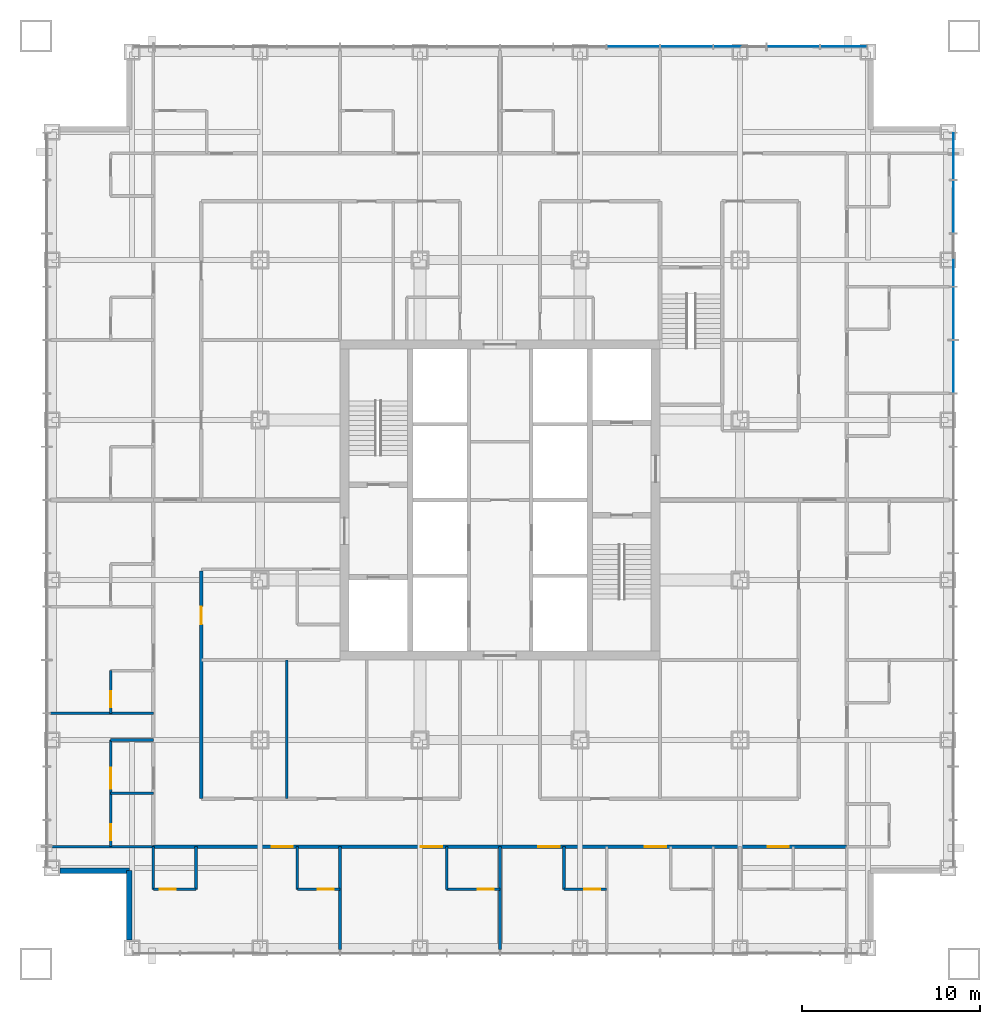
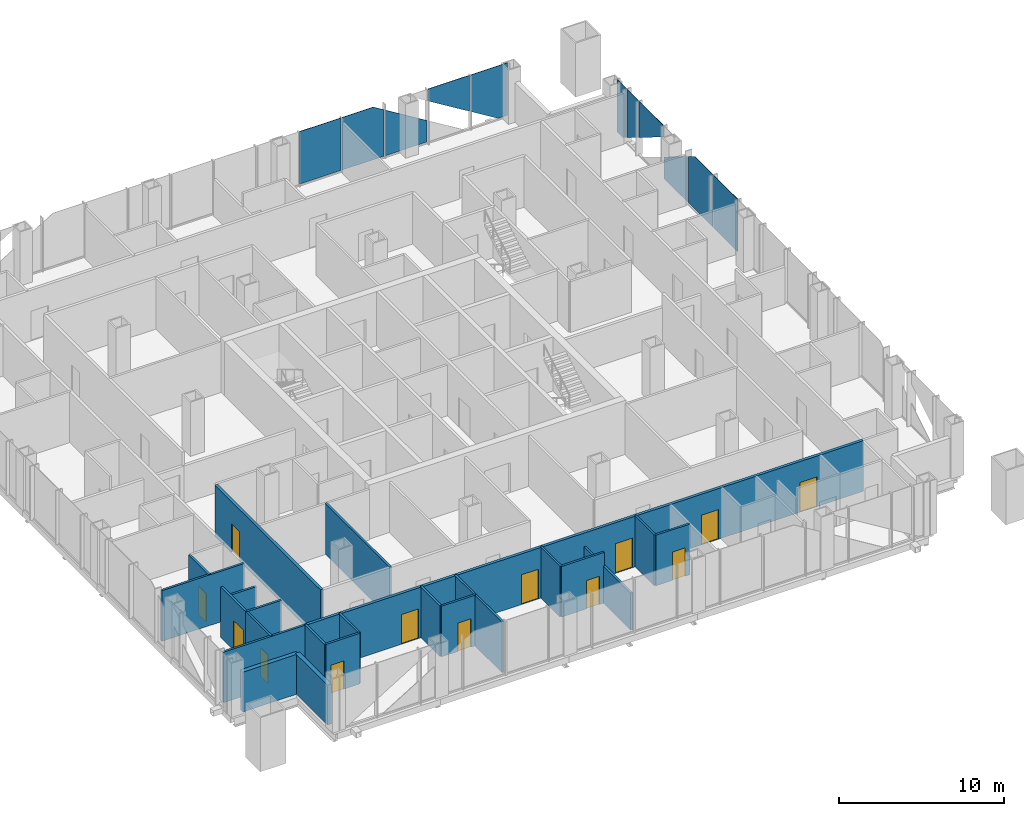
# One storey, part 7 of 13: 23 walls, 13 doors, 11 plates, 13 openings, 2 elements without a shape of their own.
"""IFC4 building model written with IfcOpenShell, lengths in metres."""

from ifc_helpers import new_model, si_unit, direction, frame, frame_2d, origin, origin_2d, place, context, subcontext, project, spatial, polyline, rectangle, outline, extrude, material, layer, layer_set, type_object, element, fill, aggregate, save


model = new_model("IFC4")

# Units and contexts
model_context = context("Model", 3, precision=1e-05, world=origin(), true_north=direction((0.0, 1.0)))
body_context = subcontext(model_context, "Body", "Model", "MODEL_VIEW")
ifc_project = project(units=[si_unit("LENGTHUNIT", "METRE"), si_unit("AREAUNIT", "SQUARE_METRE"), si_unit("VOLUMEUNIT", "CUBIC_METRE"), si_unit("PLANEANGLEUNIT", "RADIAN"), si_unit("MASSUNIT", "GRAM", prefix="KILO")], contexts=[model_context])

# Site, building, storey
site_placement = place(None, origin())
site = spatial("IfcSite", under=ifc_project, at=site_placement, CompositionType="ELEMENT")
building_placement = place(site_placement, origin())
building = spatial("IfcBuilding", under=site, at=building_placement, Name="Malebo Sky Hospital", CompositionType="ELEMENT")
storey_placement = place(building_placement, frame((0.0, 0.0, 35.0)))
storey = spatial("IfcBuildingStorey", under=building, at=storey_placement, Name="L07", CompositionType="ELEMENT", Elevation=35.0)

# Curtain wall, plates
ifc_material_1 = material(Name="Anodised aluminium, natural silver", Category="aluminium")
ifc_layer_1 = layer(ifc_material_1, 0.25)
ifc_layer_set_1 = layer_set([ifc_layer_1], Name="WARD CURTAIN WALL NORTH AND SOUTH")
curtain_wall_type_1 = type_object("IfcCurtainWallType", Name="WARD CURTAIN WALL NORTH AND SOUTH", PredefinedType="NOTDEFINED", material=ifc_layer_set_1)
curtain_wall_1_placement = place(storey_placement, origin())
curtain_wall_1 = element("IfcCurtainWall", 1, at=curtain_wall_1_placement, inside=storey, type_object=curtain_wall_type_1, Name="NS curtain wall N", PredefinedType="NOTDEFINED")
ifc_material_2 = material(Name="Clear low-iron double glazing", Category="glass")
ifc_layer_2 = layer(ifc_material_2, 0.031982421875)
ifc_layer_set_2 = layer_set([ifc_layer_2], Name="VISION PANEL CLEAR 32")
plate_type = type_object("IfcPlateType", Name="VISION PANEL CLEAR 32", PredefinedType="CURTAIN_PANEL", material=ifc_layer_set_2)
plate_1_placement = place(storey_placement, frame((67.5, 87.5, 0.10009765625), z_axis=(0.0, 0.0, 1.0), x_axis=(1.0, 0.0, 0.0)))
plate_1 = element("IfcPlate", 2, at=plate_1_placement, type_object=plate_type, Name="Panel 11", PredefinedType="CURTAIN_PANEL", context=body_context, shape_type="SweptSolid", body=[
    extrude(rectangle(XDim=2.925048828125, YDim=0.031982421875, at=origin_2d()), origin(), (0.0, 0.0, 1.0), 3.889892578125),
])
plate_2_placement = place(storey_placement, frame((70.5, 87.5, 0.10009765625), z_axis=(0.0, 0.0, 1.0), x_axis=(1.0, 0.0, 0.0)))
plate_2 = element("IfcPlate", 3, at=plate_2_placement, type_object=plate_type, Name="Panel 12", PredefinedType="CURTAIN_PANEL", context=body_context, shape_type="SweptSolid", body=[
    extrude(outline(polyline([(-1.46240234375, 0.0), (1.46240234375, 0.0), (1.46240234375, 3.43310546875), (0.71728515625, 3.889892578125), (-1.46240234375, 3.889892578125), (-1.46240234375, 0.0)])), frame((0.0, 0.01611328125, 0.0), z_axis=(0.0, -1.0, 0.0), x_axis=(1.0, 0.0, 0.0)), (0.0, 0.0, 1.0), 0.031982421875),
])
plate_3_placement = place(storey_placement, frame((73.5, 87.5, 0.099853515625), z_axis=(0.0, 0.0, 1.0), x_axis=(1.0, 0.0, 0.0)))
plate_3 = element("IfcPlate", 4, at=plate_3_placement, type_object=plate_type, Name="Panel 13", PredefinedType="CURTAIN_PANEL", context=body_context, shape_type="SweptSolid", body=[
    extrude(outline(polyline([(-1.46240234375, 0.0), (1.46240234375, 0.0), (1.46240234375, 1.593994140625), (-1.46240234375, 3.38720703125), (-1.46240234375, 0.0)])), frame((0.0, 0.01611328125, 0.0), z_axis=(0.0, -1.0, 0.0), x_axis=(1.0, 0.0, 0.0)), (0.0, 0.0, 1.0), 0.031982421875),
])
plate_4_placement = place(storey_placement, frame((76.5, 87.5, 1.322265625), z_axis=(0.0, 0.0, 1.0), x_axis=(1.0, 0.0, 0.0)))
plate_4 = element("IfcPlate", 5, at=plate_4_placement, type_object=plate_type, Name="Panel 14", PredefinedType="CURTAIN_PANEL", context=body_context, shape_type="SweptSolid", body=[
    extrude(outline(polyline([(1.46240234375, 0.0), (1.46240234375, 2.667724609375), (-1.46240234375, 2.667724609375), (-1.46240234375, 1.793212890625), (1.46240234375, 0.0)])), frame((0.0, 0.01611328125, 0.0), z_axis=(0.0, -1.0, 0.0), x_axis=(1.0, 0.0, 0.0)), (0.0, 0.0, 1.0), 0.031982421875),
])
plate_5_placement = place(storey_placement, frame((79.331298828125, 87.5, 0.10009765625), z_axis=(0.0, 0.0, 1.0), x_axis=(1.0, 0.0, 0.0)))
plate_5 = element("IfcPlate", 6, at=plate_5_placement, type_object=plate_type, Name="Panel 15", PredefinedType="CURTAIN_PANEL", context=body_context, shape_type="SweptSolid", body=[
    extrude(outline(polyline([(0.625244140625, 0.0), (1.293701171875, 0.0), (1.293701171875, 3.889892578125), (-1.293701171875, 3.889892578125), (-1.293701171875, 1.17626953125), (0.625244140625, 0.0)])), frame((0.0, 0.01611328125, 0.0), z_axis=(0.0, -1.0, 0.0), x_axis=(1.0, 0.0, 0.0)), (0.0, 0.0, 1.0), 0.031982421875),
])
aggregate(curtain_wall_1, [plate_1, plate_2, plate_3, plate_4, plate_5])

ifc_layer_3 = layer(ifc_material_1, 0.25)
ifc_layer_set_3 = layer_set([ifc_layer_3], Name="WARD CURTAIN WALL EAST AND WEST")
curtain_wall_type_2 = type_object("IfcCurtainWallType", Name="WARD CURTAIN WALL EAST AND WEST", PredefinedType="NOTDEFINED", material=ifc_layer_set_3)
curtain_wall_2_placement = place(storey_placement, origin())
curtain_wall_2 = element("IfcCurtainWall", 7, at=curtain_wall_2_placement, inside=storey, type_object=curtain_wall_type_2, Name="EW curtain wall E", PredefinedType="NOTDEFINED")
plate_6_placement = place(storey_placement, frame((85.5, 82.081298828125, 0.10009765625), z_axis=(0.0, 0.0, 1.0), x_axis=(0.0, -1.0, 0.0)))
plate_6 = element("IfcPlate", 8, at=plate_6_placement, type_object=plate_type, Name="Panel 1", PredefinedType="CURTAIN_PANEL", context=body_context, shape_type="SweptSolid", body=[
    extrude(outline(polyline([(-0.543701171875, 0.0), (0.124755859375, 0.0), (0.543701171875, 0.2568359375), (0.543701171875, 3.889892578125), (-0.543701171875, 3.889892578125), (-0.543701171875, 0.0)])), frame((0.0, 0.01611328125, 0.0), z_axis=(0.0, -1.0, 0.0), x_axis=(1.0, 0.0, 0.0)), (0.0, 0.0, 1.0), 0.031982421875),
])
plate_7_placement = place(storey_placement, frame((85.5, 80.75, 0.40283203125), z_axis=(0.0, 0.0, 1.0), x_axis=(0.0, -1.0, 0.0)))
plate_7 = element("IfcPlate", 9, at=plate_7_placement, type_object=plate_type, Name="Panel 2", PredefinedType="CURTAIN_PANEL", context=body_context, shape_type="SweptSolid", body=[
    extrude(outline(polyline([(-0.71240234375, 0.0), (0.71240234375, 0.87353515625), (0.71240234375, 3.587158203125), (-0.71240234375, 3.587158203125), (-0.71240234375, 0.0)])), frame((0.0, 0.01611328125, 0.0), z_axis=(0.0, -1.0, 0.0), x_axis=(1.0, 0.0, 0.0)), (0.0, 0.0, 1.0), 0.031982421875),
])
plate_8_placement = place(storey_placement, frame((85.5, 78.5, 1.322265625), z_axis=(0.0, 0.0, 1.0), x_axis=(0.0, -1.0, 0.0)))
plate_8 = element("IfcPlate", 10, at=plate_8_placement, type_object=plate_type, Name="Panel 3", PredefinedType="CURTAIN_PANEL", context=body_context, shape_type="SweptSolid", body=[
    extrude(outline(polyline([(-1.46240234375, 0.0), (1.46240234375, 1.793212890625), (1.46240234375, 2.667724609375), (-1.46240234375, 2.667724609375), (-1.46240234375, 0.0)])), frame((0.0, 0.01611328125, 0.0), z_axis=(0.0, -1.0, 0.0), x_axis=(1.0, 0.0, 0.0)), (0.0, 0.0, 1.0), 0.031982421875),
])
plate_9_placement = place(storey_placement, frame((85.5, 75.5, 0.099853515625), z_axis=(0.0, 0.0, 1.0), x_axis=(0.0, -1.0, 0.0)))
plate_9 = element("IfcPlate", 11, at=plate_9_placement, type_object=plate_type, Name="Panel 4", PredefinedType="CURTAIN_PANEL", context=body_context, shape_type="SweptSolid", body=[
    extrude(outline(polyline([(-1.46240234375, 0.0), (1.46240234375, 0.0), (1.46240234375, 3.38720703125), (-1.46240234375, 1.593994140625), (-1.46240234375, 0.0)])), frame((0.0, 0.01611328125, 0.0), z_axis=(0.0, -1.0, 0.0), x_axis=(1.0, 0.0, 0.0)), (0.0, 0.0, 1.0), 0.031982421875),
])
plate_10_placement = place(storey_placement, frame((85.5, 72.5, 0.10009765625), z_axis=(0.0, 0.0, 1.0), x_axis=(0.0, -1.0, 0.0)))
plate_10 = element("IfcPlate", 12, at=plate_10_placement, type_object=plate_type, Name="Panel 5", PredefinedType="CURTAIN_PANEL", context=body_context, shape_type="SweptSolid", body=[
    extrude(outline(polyline([(-1.46240234375, 0.0), (1.46240234375, 0.0), (1.46240234375, 3.889892578125), (-0.71728515625, 3.889892578125), (-1.46240234375, 3.43310546875), (-1.46240234375, 0.0)])), frame((0.0, 0.01611328125, 0.0), z_axis=(0.0, -1.0, 0.0), x_axis=(1.0, 0.0, 0.0)), (0.0, 0.0, 1.0), 0.031982421875),
])
plate_11_placement = place(storey_placement, frame((85.5, 69.5, 0.10009765625), z_axis=(0.0, 0.0, 1.0), x_axis=(0.0, -1.0, 0.0)))
plate_11 = element("IfcPlate", 13, at=plate_11_placement, type_object=plate_type, Name="Panel 6", PredefinedType="CURTAIN_PANEL", context=body_context, shape_type="SweptSolid", body=[
    extrude(rectangle(XDim=2.925048828125, YDim=0.031982421875, at=origin_2d()), origin(), (0.0, 0.0, 1.0), 3.889892578125),
])
aggregate(curtain_wall_2, [plate_6, plate_7, plate_8, plate_9, plate_10, plate_11])

# Wall, opening, door
ifc_material_3 = material(Name="Gypsum board on steel studs", Category="steel")
ifc_layer_4 = layer(ifc_material_3, 0.199951171875)
ifc_layer_set_4 = layer_set([ifc_layer_4], Name="CORRIDOR WALL 200")
wall_type_1 = type_object("IfcWallType", Name="CORRIDOR WALL 200", PredefinedType="PARTITIONING", material=ifc_layer_set_4)
wall_1_placement = place(storey_placement, frame((43.199951171875, 45.199951171875, 0.0), z_axis=(0.0, 0.0, 1.0), x_axis=(0.0, 1.0, 0.0)))
wall_1 = element("IfcWall", 14, at=wall_1_placement, inside=storey, type_object=wall_type_1, Name="Corridor Wall 200 WCI1", PredefinedType="PARTITIONING", context=body_context, shape_type="SweptSolid", body=[
    extrude(rectangle(XDim=12.800048828125, YDim=0.199951171875, at=frame_2d((6.39990234375, 0.0))), origin(), (0.0, 0.0, 1.0), 3.75),
])
opening_1_placement = place(wall_1_placement, frame((9.800048828125, 0.0, 0.0)))
opening_1 = element("IfcOpeningElement", 15, at=opening_1_placement, cuts=wall_1, Name="Opening D03", PredefinedType="OPENING", context=body_context, shape_type="SweptSolid", body=[
    extrude(rectangle(XDim=1.0, YDim=2.10009765625, at=frame_2d((0.5, 1.050048828125))), frame((0.0, 0.10986328125, 0.0), z_axis=(0.0, -1.0, 0.0), x_axis=(1.0, 0.0, 0.0)), (0.0, 0.0, 1.0), 0.219970703125),
])
ifc_material_4 = material(Name="Hardwood-faced door leaf in steel frame", Category="steel")
door_type_1 = type_object("IfcDoorType", Name="ROOM DOOR 1000", OperationType="SINGLE_SWING_LEFT", PredefinedType="DOOR", material=ifc_material_4)
door_1_placement = place(opening_1_placement, origin())
door_1 = element("IfcDoor", 16, at=door_1_placement, inside=storey, type_object=door_type_1, Name="Equipment store door", OperationType="SINGLE_SWING_LEFT", OverallHeight=2.10009765625, OverallWidth=1.0, PredefinedType="DOOR", context=body_context, shape_type="SweptSolid", body=[
    extrude(rectangle(XDim=1.0, YDim=2.10009765625, at=frame_2d((0.5, 1.050048828125))), frame((0.0, 0.02490234375, 0.0), z_axis=(0.0, -1.0, 0.0), x_axis=(1.0, 0.0, 0.0)), (0.0, 0.0, 1.0), 0.050048828125),
])
fill(opening_1, door_1)

# Wall, openings, doors
wall_2_placement = place(storey_placement, frame((79.5, 42.5, 0.0), z_axis=(0.0, 0.0, 1.0), x_axis=(-1.0, 0.0, 0.0)))
wall_2 = element("IfcWall", 17, at=wall_2_placement, inside=storey, type_object=wall_type_1, Name="Corridor Wall 200 SCO", PredefinedType="PARTITIONING", context=body_context, shape_type="SweptSolid", body=[
    extrude(rectangle(XDim=39.0, YDim=0.199951171875, at=frame_2d((19.5, 0.0))), origin(), (0.0, 0.0, 1.0), 3.75),
])
opening_2_placement = place(wall_2_placement, frame((3.25, 0.0, 0.0)))
opening_2 = element("IfcOpeningElement", 18, at=opening_2_placement, cuts=wall_2, Name="Opening D18", PredefinedType="OPENING", context=body_context, shape_type="SweptSolid", body=[
    extrude(rectangle(XDim=1.199951171875, YDim=2.199951171875, at=frame_2d((0.60009765625, 1.10009765625))), frame((0.0, 0.10986328125, 0.0), z_axis=(0.0, -1.0, 0.0), x_axis=(1.0, 0.0, 0.0)), (0.0, 0.0, 1.0), 0.219970703125),
])
opening_3_placement = place(wall_2_placement, frame((10.14990234375, 0.0, 0.0)))
opening_3 = element("IfcOpeningElement", 19, at=opening_3_placement, cuts=wall_2, Name="Opening D01", PredefinedType="OPENING", context=body_context, shape_type="SweptSolid", body=[
    extrude(rectangle(XDim=1.199951171875, YDim=2.199951171875, at=frame_2d((0.60009765625, 1.10009765625))), frame((0.0, 0.10986328125, 0.0), z_axis=(0.0, -1.0, 0.0), x_axis=(1.0, 0.0, 0.0)), (0.0, 0.0, 1.0), 0.219970703125),
])
opening_4_placement = place(wall_2_placement, frame((16.14990234375, 0.0, 0.0)))
opening_4 = element("IfcOpeningElement", 20, at=opening_4_placement, cuts=wall_2, Name="Opening D01", PredefinedType="OPENING", context=body_context, shape_type="SweptSolid", body=[
    extrude(rectangle(XDim=1.199951171875, YDim=2.199951171875, at=frame_2d((0.60009765625, 1.10009765625))), frame((0.0, 0.10986328125, 0.0), z_axis=(0.0, -1.0, 0.0), x_axis=(1.0, 0.0, 0.0)), (0.0, 0.0, 1.0), 0.219970703125),
])
opening_5_placement = place(wall_2_placement, frame((22.75, 0.0, 0.0)))
opening_5 = element("IfcOpeningElement", 21, at=opening_5_placement, cuts=wall_2, Name="Opening D01", PredefinedType="OPENING", context=body_context, shape_type="SweptSolid", body=[
    extrude(rectangle(XDim=1.199951171875, YDim=2.199951171875, at=frame_2d((0.60009765625, 1.10009765625))), frame((0.0, 0.10986328125, 0.0), z_axis=(0.0, -1.0, 0.0), x_axis=(1.0, 0.0, 0.0)), (0.0, 0.0, 1.0), 0.219970703125),
])
opening_6_placement = place(wall_2_placement, frame((31.14990234375, 0.0, 0.0)))
opening_6 = element("IfcOpeningElement", 22, at=opening_6_placement, cuts=wall_2, Name="Opening D01", PredefinedType="OPENING", context=body_context, shape_type="SweptSolid", body=[
    extrude(rectangle(XDim=1.199951171875, YDim=2.199951171875, at=frame_2d((0.60009765625, 1.10009765625))), frame((0.0, 0.10986328125, 0.0), z_axis=(0.0, -1.0, 0.0), x_axis=(1.0, 0.0, 0.0)), (0.0, 0.0, 1.0), 0.219970703125),
])
door_type_2 = type_object("IfcDoorType", Name="ANTEROOM DOOR 1200", OperationType="SINGLE_SWING_LEFT", PredefinedType="DOOR", material=ifc_material_4)
door_2_placement = place(opening_2_placement, origin())
door_2 = element("IfcDoor", 23, at=door_2_placement, inside=storey, type_object=door_type_2, Name="Anteroom door", OperationType="SINGLE_SWING_LEFT", OverallHeight=2.199951171875, OverallWidth=1.199951171875, PredefinedType="DOOR", context=body_context, shape_type="SweptSolid", body=[
    extrude(rectangle(XDim=1.199951171875, YDim=2.199951171875, at=frame_2d((0.60009765625, 1.10009765625))), frame((0.0, 0.02490234375, 0.0), z_axis=(0.0, -1.0, 0.0), x_axis=(1.0, 0.0, 0.0)), (0.0, 0.0, 1.0), 0.050048828125),
])
fill(opening_2, door_2)
door_type_3 = type_object("IfcDoorType", Name="BED DOOR 1200", OperationType="SINGLE_SWING_LEFT", PredefinedType="DOOR", material=ifc_material_4)
door_3_placement = place(opening_3_placement, origin())
door_3 = element("IfcDoor", 24, at=door_3_placement, inside=storey, type_object=door_type_3, Name="Single bed room door", OperationType="SINGLE_SWING_LEFT", OverallHeight=2.199951171875, OverallWidth=1.199951171875, PredefinedType="DOOR", context=body_context, shape_type="SweptSolid", body=[
    extrude(rectangle(XDim=1.199951171875, YDim=2.199951171875, at=frame_2d((0.60009765625, 1.10009765625))), frame((0.0, 0.02490234375, 0.0), z_axis=(0.0, -1.0, 0.0), x_axis=(1.0, 0.0, 0.0)), (0.0, 0.0, 1.0), 0.050048828125),
])
fill(opening_3, door_3)
door_4_placement = place(opening_4_placement, origin())
door_4 = element("IfcDoor", 25, at=door_4_placement, inside=storey, type_object=door_type_3, Name="Single bed room door", OperationType="SINGLE_SWING_LEFT", OverallHeight=2.199951171875, OverallWidth=1.199951171875, PredefinedType="DOOR", context=body_context, shape_type="SweptSolid", body=[
    extrude(rectangle(XDim=1.199951171875, YDim=2.199951171875, at=frame_2d((0.60009765625, 1.10009765625))), frame((0.0, 0.02490234375, 0.0), z_axis=(0.0, -1.0, 0.0), x_axis=(1.0, 0.0, 0.0)), (0.0, 0.0, 1.0), 0.050048828125),
])
fill(opening_4, door_4)
door_5_placement = place(opening_5_placement, origin())
door_5 = element("IfcDoor", 26, at=door_5_placement, inside=storey, type_object=door_type_3, Name="Two-bed room door", OperationType="SINGLE_SWING_LEFT", OverallHeight=2.199951171875, OverallWidth=1.199951171875, PredefinedType="DOOR", context=body_context, shape_type="SweptSolid", body=[
    extrude(rectangle(XDim=1.199951171875, YDim=2.199951171875, at=frame_2d((0.60009765625, 1.10009765625))), frame((0.0, 0.02490234375, 0.0), z_axis=(0.0, -1.0, 0.0), x_axis=(1.0, 0.0, 0.0)), (0.0, 0.0, 1.0), 0.050048828125),
])
fill(opening_5, door_5)
door_6_placement = place(opening_6_placement, origin())
door_6 = element("IfcDoor", 27, at=door_6_placement, inside=storey, type_object=door_type_3, Name="Four-bed bay door", OperationType="SINGLE_SWING_LEFT", OverallHeight=2.199951171875, OverallWidth=1.199951171875, PredefinedType="DOOR", context=body_context, shape_type="SweptSolid", body=[
    extrude(rectangle(XDim=1.199951171875, YDim=2.199951171875, at=frame_2d((0.60009765625, 1.10009765625))), frame((0.0, 0.02490234375, 0.0), z_axis=(0.0, -1.0, 0.0), x_axis=(1.0, 0.0, 0.0)), (0.0, 0.0, 1.0), 0.050048828125),
])
fill(opening_6, door_6)

# Walls
ifc_material_5 = material(Name="Anodised aluminium rainscreen on steel framing", Category="steel")
ifc_layer_5 = layer(ifc_material_5, 0.300048828125)
ifc_layer_set_5 = layer_set([ifc_layer_5], Name="NOTCH RAINSCREEN WALL 300")
wall_type_2 = type_object("IfcWallType", Name="NOTCH RAINSCREEN WALL 300", PredefinedType="ELEMENTEDWALL", material=ifc_layer_set_5)
for number, where, z_axis, x_axis, name in (
    (28, (39.14990234375, 37.25, 0.0), (0.0, 0.0, 1.0), (0.0, 1.0, 0.0), "Notch rainscreen wall S1 L07"),
    (29, (39.14990234375, 41.14990234375, 0.0), (0.0, 0.0, 1.0), (-1.0, 0.0, 0.0), "Notch rainscreen wall S2 L07"),
):
    element("IfcWall", number, at=place(storey_placement, frame(where, z_axis=z_axis, x_axis=x_axis)), inside=storey, type_object=wall_type_2, Name=name, PredefinedType="ELEMENTEDWALL", context=body_context, shape_type="SweptSolid", body=[
        extrude(rectangle(XDim=3.89990234375, YDim=0.300048828125, at=frame_2d((1.949951171875, 0.0))), origin(), (0.0, 0.0, 1.0), 2.949951171875),
    ])
ifc_layer_6 = layer(ifc_material_3, 0.14990234375)
ifc_layer_set_6 = layer_set([ifc_layer_6], Name="PARTITION 150")
wall_type_3 = type_object("IfcWallType", Name="PARTITION 150", PredefinedType="PARTITIONING", material=ifc_layer_set_6)
for number, where, z_axis, x_axis, name in (
    (30, (40.5, 50.0, 0.0), (0.0, 0.0, 1.0), (-1.0, 0.0, 0.0), "Partition 150 WP-12.0"),
    (31, (40.5, 42.5, 0.0), (0.0, 0.0, 1.0), (-1.0, 0.0, 0.0), "Partition 150 WP0"),
):
    element("IfcWall", number, at=place(storey_placement, frame(where, z_axis=z_axis, x_axis=x_axis)), inside=storey, type_object=wall_type_3, Name=name, PredefinedType="PARTITIONING", context=body_context, shape_type="SweptSolid", body=[
        extrude(rectangle(XDim=5.77490234375, YDim=0.14990234375, at=frame_2d((2.887451171875, 0.0))), origin(), (0.0, 0.0, 1.0), 3.75),
    ])

# Wall, opening, door
wall_3_placement = place(storey_placement, frame((38.10009765625, 42.5, 0.0), z_axis=(0.0, 0.0, 1.0), x_axis=(0.0, 1.0, 0.0)))
wall_3 = element("IfcWall", 32, at=wall_3_placement, inside=storey, type_object=wall_type_3, Name="Partition 150 WE0F", PredefinedType="PARTITIONING", context=body_context, shape_type="SweptSolid", body=[
    extrude(rectangle(XDim=3.0, YDim=0.14990234375, at=frame_2d((1.5, 0.0))), origin(), (0.0, 0.0, 1.0), 3.75),
])
opening_7_placement = place(wall_3_placement, frame((0.35009765625, 0.0, 0.0)))
opening_7 = element("IfcOpeningElement", 33, at=opening_7_placement, cuts=wall_3, Name="Opening D02", PredefinedType="OPENING", context=body_context, shape_type="SweptSolid", body=[
    extrude(rectangle(XDim=0.89990234375, YDim=2.10009765625, at=frame_2d((0.449951171875, 1.050048828125))), frame((0.0, 0.0849609375, 0.0), z_axis=(0.0, -1.0, 0.0), x_axis=(1.0, 0.0, 0.0)), (0.0, 0.0, 1.0), 0.169921875),
])
door_type_4 = type_object("IfcDoorType", Name="EN-SUITE DOOR 900", OperationType="SINGLE_SWING_LEFT", PredefinedType="DOOR", material=ifc_material_4)
door_7_placement = place(opening_7_placement, origin())
door_7 = element("IfcDoor", 34, at=door_7_placement, inside=storey, type_object=door_type_4, Name="En-suite door", OperationType="SINGLE_SWING_LEFT", OverallHeight=2.10009765625, OverallWidth=0.89990234375, PredefinedType="DOOR", context=body_context, shape_type="SweptSolid", body=[
    extrude(rectangle(XDim=0.89990234375, YDim=2.10009765625, at=frame_2d((0.449951171875, 1.050048828125))), frame((0.0, 0.02490234375, 0.0), z_axis=(0.0, -1.0, 0.0), x_axis=(1.0, 0.0, 0.0)), (0.0, 0.0, 1.0), 0.050048828125),
])
fill(opening_7, door_7)

# Wall
wall_4_placement = place(storey_placement, frame((40.5, 45.5, 0.0), z_axis=(0.0, 0.0, 1.0), x_axis=(-1.0, 0.0, 0.0)))
element("IfcWall", 35, at=wall_4_placement, inside=storey, type_object=wall_type_3, Name="Partition 150 WE0S", PredefinedType="PARTITIONING", context=body_context, shape_type="SweptSolid", body=[
    extrude(rectangle(XDim=2.39990234375, YDim=0.14990234375, at=frame_2d((1.199951171875, 0.0))), origin(), (0.0, 0.0, 1.0), 3.75),
])

# Wall, opening, door
wall_5_placement = place(storey_placement, frame((38.10009765625, 50.0, 0.0), z_axis=(0.0, 0.0, 1.0), x_axis=(0.0, 1.0, 0.0)))
wall_5 = element("IfcWall", 36, at=wall_5_placement, inside=storey, type_object=wall_type_3, Name="Partition 150 WE1F", PredefinedType="PARTITIONING", context=body_context, shape_type="SweptSolid", body=[
    extrude(rectangle(XDim=2.39990234375, YDim=0.14990234375, at=frame_2d((1.199951171875, 0.0))), origin(), (0.0, 0.0, 1.0), 3.75),
])
opening_8_placement = place(wall_5_placement, frame((0.35009765625, 0.0, 0.0)))
opening_8 = element("IfcOpeningElement", 37, at=opening_8_placement, cuts=wall_5, Name="Opening D02", PredefinedType="OPENING", context=body_context, shape_type="SweptSolid", body=[
    extrude(rectangle(XDim=0.89990234375, YDim=2.10009765625, at=frame_2d((0.449951171875, 1.050048828125))), frame((0.0, 0.0849609375, 0.0), z_axis=(0.0, -1.0, 0.0), x_axis=(1.0, 0.0, 0.0)), (0.0, 0.0, 1.0), 0.169921875),
])
door_8_placement = place(opening_8_placement, origin())
door_8 = element("IfcDoor", 38, at=door_8_placement, inside=storey, type_object=door_type_4, Name="En-suite door", OperationType="SINGLE_SWING_LEFT", OverallHeight=2.10009765625, OverallWidth=0.89990234375, PredefinedType="DOOR", context=body_context, shape_type="SweptSolid", body=[
    extrude(rectangle(XDim=0.89990234375, YDim=2.10009765625, at=frame_2d((0.449951171875, 1.050048828125))), frame((0.0, 0.02490234375, 0.0), z_axis=(0.0, -1.0, 0.0), x_axis=(1.0, 0.0, 0.0)), (0.0, 0.0, 1.0), 0.050048828125),
])
fill(opening_8, door_8)

# Walls
wall_6_placement = place(storey_placement, frame((60.0, 42.5, 0.0), z_axis=(0.0, 0.0, 1.0), x_axis=(0.0, -1.0, 0.0)))
element("IfcWall", 39, at=wall_6_placement, inside=storey, type_object=wall_type_3, Name="Partition 150 SP+0.0", PredefinedType="PARTITIONING", context=body_context, shape_type="SweptSolid", body=[
    extrude(rectangle(XDim=5.77490234375, YDim=0.14990234375, at=frame_2d((2.887451171875, 0.0))), origin(), (0.0, 0.0, 1.0), 2.75),
])
wall_7_placement = place(storey_placement, frame((51.0, 42.5, 0.0), z_axis=(0.0, 0.0, 1.0), x_axis=(0.0, -1.0, 0.0)))
element("IfcWall", 40, at=wall_7_placement, inside=storey, type_object=wall_type_3, Name="Partition 150 SP+9.0", PredefinedType="PARTITIONING", context=body_context, shape_type="SweptSolid", body=[
    extrude(rectangle(XDim=5.77490234375, YDim=0.14990234375, at=frame_2d((2.887451171875, 0.0))), origin(), (0.0, 0.0, 1.0), 3.75),
])

# Wall, opening, door
wall_8_placement = place(storey_placement, frame((66.0, 40.10009765625, 0.0), z_axis=(0.0, 0.0, 1.0), x_axis=(-1.0, 0.0, 0.0)))
wall_8 = element("IfcWall", 41, at=wall_8_placement, inside=storey, type_object=wall_type_3, Name="Partition 150 SE2F", PredefinedType="PARTITIONING", context=body_context, shape_type="SweptSolid", body=[
    extrude(rectangle(XDim=2.39990234375, YDim=0.14990234375, at=frame_2d((1.199951171875, 0.0))), origin(), (0.0, 0.0, 1.0), 3.75),
])
opening_9_placement = place(wall_8_placement, frame((0.35009765625, 0.0, 0.0)))
opening_9 = element("IfcOpeningElement", 42, at=opening_9_placement, cuts=wall_8, Name="Opening D02", PredefinedType="OPENING", context=body_context, shape_type="SweptSolid", body=[
    extrude(rectangle(XDim=0.89990234375, YDim=2.10009765625, at=frame_2d((0.449951171875, 1.050048828125))), frame((0.0, 0.0849609375, 0.0), z_axis=(0.0, -1.0, 0.0), x_axis=(1.0, 0.0, 0.0)), (0.0, 0.0, 1.0), 0.169921875),
])
door_9_placement = place(opening_9_placement, origin())
door_9 = element("IfcDoor", 43, at=door_9_placement, inside=storey, type_object=door_type_4, Name="En-suite door", OperationType="SINGLE_SWING_LEFT", OverallHeight=2.10009765625, OverallWidth=0.89990234375, PredefinedType="DOOR", context=body_context, shape_type="SweptSolid", body=[
    extrude(rectangle(XDim=0.89990234375, YDim=2.10009765625, at=frame_2d((0.449951171875, 1.050048828125))), frame((0.0, 0.02490234375, 0.0), z_axis=(0.0, -1.0, 0.0), x_axis=(1.0, 0.0, 0.0)), (0.0, 0.0, 1.0), 0.050048828125),
])
fill(opening_9, door_9)

# Wall
wall_9_placement = place(storey_placement, frame((63.60009765625, 42.5, 0.0), z_axis=(0.0, 0.0, 1.0), x_axis=(0.0, -1.0, 0.0)))
element("IfcWall", 44, at=wall_9_placement, inside=storey, type_object=wall_type_3, Name="Partition 150 SE2S", PredefinedType="PARTITIONING", context=body_context, shape_type="SweptSolid", body=[
    extrude(rectangle(XDim=2.39990234375, YDim=0.14990234375, at=frame_2d((1.199951171875, 0.0))), origin(), (0.0, 0.0, 1.0), 3.75),
])

# Wall, opening, door
wall_10_placement = place(storey_placement, frame((60.0, 40.10009765625, 0.0), z_axis=(0.0, 0.0, 1.0), x_axis=(-1.0, 0.0, 0.0)))
wall_10 = element("IfcWall", 45, at=wall_10_placement, inside=storey, type_object=wall_type_3, Name="Partition 150 SE3F", PredefinedType="PARTITIONING", context=body_context, shape_type="SweptSolid", body=[
    extrude(rectangle(XDim=3.0, YDim=0.14990234375, at=frame_2d((1.5, 0.0))), origin(), (0.0, 0.0, 1.0), 3.75),
])
opening_10_placement = place(wall_10_placement, frame((0.35009765625, 0.0, 0.0)))
opening_10 = element("IfcOpeningElement", 46, at=opening_10_placement, cuts=wall_10, Name="Opening D02", PredefinedType="OPENING", context=body_context, shape_type="SweptSolid", body=[
    extrude(rectangle(XDim=0.89990234375, YDim=2.10009765625, at=frame_2d((0.449951171875, 1.050048828125))), frame((0.0, 0.0849609375, 0.0), z_axis=(0.0, -1.0, 0.0), x_axis=(1.0, 0.0, 0.0)), (0.0, 0.0, 1.0), 0.169921875),
])
door_10_placement = place(opening_10_placement, origin())
door_10 = element("IfcDoor", 47, at=door_10_placement, inside=storey, type_object=door_type_4, Name="En-suite door", OperationType="SINGLE_SWING_LEFT", OverallHeight=2.10009765625, OverallWidth=0.89990234375, PredefinedType="DOOR", context=body_context, shape_type="SweptSolid", body=[
    extrude(rectangle(XDim=0.89990234375, YDim=2.10009765625, at=frame_2d((0.449951171875, 1.050048828125))), frame((0.0, 0.02490234375, 0.0), z_axis=(0.0, -1.0, 0.0), x_axis=(1.0, 0.0, 0.0)), (0.0, 0.0, 1.0), 0.050048828125),
])
fill(opening_10, door_10)

# Wall
wall_11_placement = place(storey_placement, frame((57.0, 42.5, 0.0), z_axis=(0.0, 0.0, 1.0), x_axis=(0.0, -1.0, 0.0)))
element("IfcWall", 48, at=wall_11_placement, inside=storey, type_object=wall_type_3, Name="Partition 150 SE3S", PredefinedType="PARTITIONING", context=body_context, shape_type="SweptSolid", body=[
    extrude(rectangle(XDim=2.39990234375, YDim=0.14990234375, at=frame_2d((1.199951171875, 0.0))), origin(), (0.0, 0.0, 1.0), 3.75),
])

# Wall, opening, door
wall_12_placement = place(storey_placement, frame((51.0, 40.10009765625, 0.0), z_axis=(0.0, 0.0, 1.0), x_axis=(-1.0, 0.0, 0.0)))
wall_12 = element("IfcWall", 49, at=wall_12_placement, inside=storey, type_object=wall_type_3, Name="Partition 150 SE4F", PredefinedType="PARTITIONING", context=body_context, shape_type="SweptSolid", body=[
    extrude(rectangle(XDim=2.39990234375, YDim=0.14990234375, at=frame_2d((1.199951171875, 0.0))), origin(), (0.0, 0.0, 1.0), 3.75),
])
opening_11_placement = place(wall_12_placement, frame((0.35009765625, 0.0, 0.0)))
opening_11 = element("IfcOpeningElement", 50, at=opening_11_placement, cuts=wall_12, Name="Opening D02", PredefinedType="OPENING", context=body_context, shape_type="SweptSolid", body=[
    extrude(rectangle(XDim=0.89990234375, YDim=2.10009765625, at=frame_2d((0.449951171875, 1.050048828125))), frame((0.0, 0.0849609375, 0.0), z_axis=(0.0, -1.0, 0.0), x_axis=(1.0, 0.0, 0.0)), (0.0, 0.0, 1.0), 0.169921875),
])
door_11_placement = place(opening_11_placement, origin())
door_11 = element("IfcDoor", 51, at=door_11_placement, inside=storey, type_object=door_type_4, Name="En-suite door", OperationType="SINGLE_SWING_LEFT", OverallHeight=2.10009765625, OverallWidth=0.89990234375, PredefinedType="DOOR", context=body_context, shape_type="SweptSolid", body=[
    extrude(rectangle(XDim=0.89990234375, YDim=2.10009765625, at=frame_2d((0.449951171875, 1.050048828125))), frame((0.0, 0.02490234375, 0.0), z_axis=(0.0, -1.0, 0.0), x_axis=(1.0, 0.0, 0.0)), (0.0, 0.0, 1.0), 0.050048828125),
])
fill(opening_11, door_11)

# Wall
wall_13_placement = place(storey_placement, frame((48.60009765625, 42.5, 0.0), z_axis=(0.0, 0.0, 1.0), x_axis=(0.0, -1.0, 0.0)))
element("IfcWall", 52, at=wall_13_placement, inside=storey, type_object=wall_type_3, Name="Partition 150 SE4S", PredefinedType="PARTITIONING", context=body_context, shape_type="SweptSolid", body=[
    extrude(rectangle(XDim=2.39990234375, YDim=0.14990234375, at=frame_2d((1.199951171875, 0.0))), origin(), (0.0, 0.0, 1.0), 3.75),
])

# Wall, opening, door
wall_14_placement = place(storey_placement, frame((42.89990234375, 40.10009765625, 0.0), z_axis=(0.0, 0.0, 1.0), x_axis=(-1.0, 0.0, 0.0)))
wall_14 = element("IfcWall", 53, at=wall_14_placement, inside=storey, type_object=wall_type_3, Name="Partition 150 SG4F", PredefinedType="PARTITIONING", context=body_context, shape_type="SweptSolid", body=[
    extrude(rectangle(XDim=2.39990234375, YDim=0.14990234375, at=frame_2d((1.199951171875, 0.0))), origin(), (0.0, 0.0, 1.0), 3.75),
])
opening_12_placement = place(wall_14_placement, frame((1.14990234375, 0.0, 0.0)))
opening_12 = element("IfcOpeningElement", 54, at=opening_12_placement, cuts=wall_14, Name="Opening D02", PredefinedType="OPENING", context=body_context, shape_type="SweptSolid", body=[
    extrude(rectangle(XDim=0.89990234375, YDim=2.10009765625, at=frame_2d((0.449951171875, 1.050048828125))), frame((0.0, 0.0849609375, 0.0), z_axis=(0.0, -1.0, 0.0), x_axis=(1.0, 0.0, 0.0)), (0.0, 0.0, 1.0), 0.169921875),
])
door_12_placement = place(opening_12_placement, origin())
door_12 = element("IfcDoor", 55, at=door_12_placement, inside=storey, type_object=door_type_4, Name="En-suite door", OperationType="SINGLE_SWING_RIGHT", OverallHeight=2.10009765625, OverallWidth=0.89990234375, PredefinedType="DOOR", context=body_context, shape_type="SweptSolid", body=[
    extrude(rectangle(XDim=0.89990234375, YDim=2.10009765625, at=frame_2d((0.449951171875, 1.050048828125))), frame((0.0, 0.02490234375, 0.0), z_axis=(0.0, -1.0, 0.0), x_axis=(1.0, 0.0, 0.0)), (0.0, 0.0, 1.0), 0.050048828125),
])
fill(opening_12, door_12)

# Walls
for number, where, z_axis, x_axis, name in (
    (56, (42.89990234375, 42.5, 0.0), (0.0, 0.0, 1.0), (0.0, -1.0, 0.0), "Partition 150 SG4S"),
    (57, (40.5, 42.5, 0.0), (0.0, 0.0, 1.0), (0.0, -1.0, 0.0), "Partition 150 SEZ"),
):
    element("IfcWall", number, at=place(storey_placement, frame(where, z_axis=z_axis, x_axis=x_axis)), inside=storey, type_object=wall_type_3, Name=name, PredefinedType="PARTITIONING", context=body_context, shape_type="SweptSolid", body=[
        extrude(rectangle(XDim=2.39990234375, YDim=0.14990234375, at=frame_2d((1.199951171875, 0.0))), origin(), (0.0, 0.0, 1.0), 3.75),
    ])
wall_15_placement = place(storey_placement, frame((48.0, 53.0, 0.0), z_axis=(0.0, 0.0, 1.0), x_axis=(0.0, -1.0, 0.0)))
element("IfcWall", 58, at=wall_15_placement, inside=storey, type_object=wall_type_3, Name="Partition 150 SSP+12.0", PredefinedType="PARTITIONING", context=body_context, shape_type="SweptSolid", body=[
    extrude(rectangle(XDim=7.800048828125, YDim=0.14990234375, at=frame_2d((3.89990234375, 0.0))), origin(), (0.0, 0.0, 1.0), 3.75),
])

# Wall, opening, door
ifc_material_6 = material(Name="Sealed gypsum board on steel studs, taped to the slab", Category="steel")
ifc_layer_7 = layer(ifc_material_6, 0.14990234375)
ifc_layer_set_7 = layer_set([ifc_layer_7], Name="SEALED ISOLATION PARTITION 150")
wall_type_4 = type_object("IfcWallType", Name="SEALED ISOLATION PARTITION 150", PredefinedType="PARTITIONING", material=ifc_layer_set_7)
wall_16_placement = place(storey_placement, frame((38.10009765625, 45.5, 0.0), z_axis=(0.0, 0.0, 1.0), x_axis=(0.0, 1.0, 0.0)))
wall_16 = element("IfcWall", 59, at=wall_16_placement, inside=storey, type_object=wall_type_4, Name="Sealed Isolation Partition 150 WA0F", PredefinedType="PARTITIONING", context=body_context, shape_type="SweptSolid", body=[
    extrude(rectangle(XDim=3.0, YDim=0.14990234375, at=frame_2d((1.5, 0.0))), origin(), (0.0, 0.0, 1.0), 3.75),
])
opening_13_placement = place(wall_16_placement, frame((0.25, 0.0, 0.0)))
opening_13 = element("IfcOpeningElement", 60, at=opening_13_placement, cuts=wall_16, Name="Opening D19", PredefinedType="OPENING", context=body_context, shape_type="SweptSolid", body=[
    extrude(rectangle(XDim=1.199951171875, YDim=2.199951171875, at=frame_2d((0.60009765625, 1.10009765625))), frame((0.0, 0.0849609375, 0.0), z_axis=(0.0, -1.0, 0.0), x_axis=(1.0, 0.0, 0.0)), (0.0, 0.0, 1.0), 0.169921875),
])
ifc_material_7 = material(Name="Hardwood-faced door leaf with perimeter seals in steel frame", Category="steel")
door_type_5 = type_object("IfcDoorType", Name="SEALED ISOLATION ROOM DOOR 1200", OperationType="SINGLE_SWING_LEFT", PredefinedType="DOOR", material=ifc_material_7)
door_13_placement = place(opening_13_placement, origin())
door_13 = element("IfcDoor", 61, at=door_13_placement, inside=storey, type_object=door_type_5, Name="Isolation room door", OperationType="SINGLE_SWING_LEFT", OverallHeight=2.199951171875, OverallWidth=1.199951171875, PredefinedType="DOOR", context=body_context, shape_type="SweptSolid", body=[
    extrude(rectangle(XDim=1.199951171875, YDim=2.199951171875, at=frame_2d((0.60009765625, 1.10009765625))), frame((0.0, 0.02490234375, 0.0), z_axis=(0.0, -1.0, 0.0), x_axis=(1.0, 0.0, 0.0)), (0.0, 0.0, 1.0), 0.050048828125),
])
fill(opening_13, door_13)

# Wall
wall_17_placement = place(storey_placement, frame((40.5, 48.5, 0.0), z_axis=(0.0, 0.0, 1.0), x_axis=(-1.0, 0.0, 0.0)))
element("IfcWall", 62, at=wall_17_placement, inside=storey, type_object=wall_type_4, Name="Sealed Isolation Partition 150 WA0S", PredefinedType="PARTITIONING", context=body_context, shape_type="SweptSolid", body=[
    extrude(rectangle(XDim=2.39990234375, YDim=0.14990234375, at=frame_2d((1.199951171875, 0.0))), origin(), (0.0, 0.0, 1.0), 2.949951171875),
])

save(model, "model.ifc")
